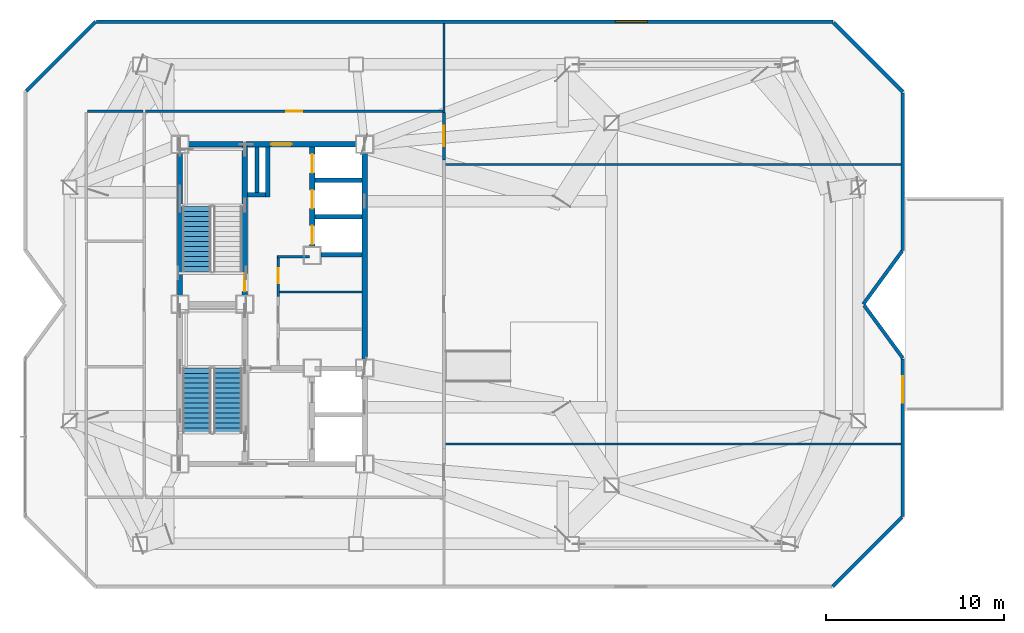
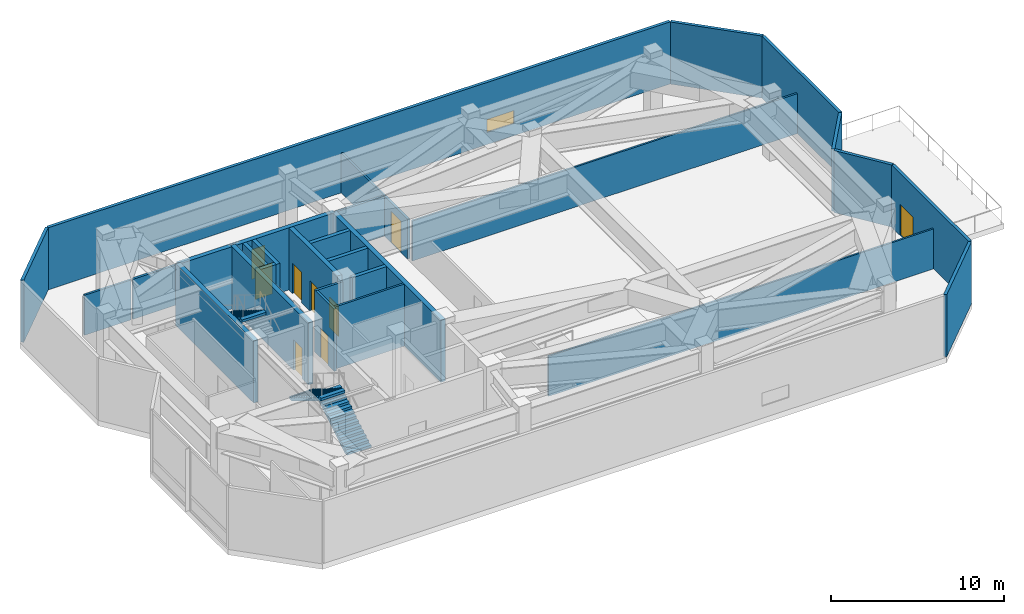
# One storey, part 8 of 11: 28 walls, 9 doors, 3 stair flights, 1 window, 10 openings, 2 elements without a shape of their own.
"""IFC4 building model written with IfcOpenShell, lengths in metres."""

from ifc_helpers import new_model, si_unit, direction, frame, frame_2d, origin, place, context, subcontext, project, spatial, polyline, rectangle, outline, extrude, material, layer, layer_set, type_object, element, fill, aggregate, save


model = new_model("IFC4")

# Units and contexts
model_context = context("Model", 3, precision=1e-05, world=origin(), true_north=direction((0.0, 1.0)))
body_context = subcontext(model_context, "Body", "Model", "MODEL_VIEW")
ifc_project = project(units=[si_unit("LENGTHUNIT", "METRE"), si_unit("AREAUNIT", "SQUARE_METRE"), si_unit("VOLUMEUNIT", "CUBIC_METRE"), si_unit("PLANEANGLEUNIT", "RADIAN"), si_unit("MASSUNIT", "GRAM", prefix="KILO")], contexts=[model_context])

# Site, building, storey
site_placement = place(None, origin())
site = spatial("IfcSite", under=ifc_project, at=site_placement, CompositionType="ELEMENT")
building_placement = place(site_placement, origin())
building = spatial("IfcBuilding", under=site, at=building_placement, Name="Khamvora Tower", CompositionType="ELEMENT")
storey_placement = place(building_placement, frame((0.0, 0.0, 264.64990234375)))
storey = spatial("IfcBuildingStorey", under=building, at=storey_placement, Name="L68", CompositionType="ELEMENT", Elevation=264.64990234375)

# Wall
ifc_material_1 = material(Name="Concrete C50/60", Category="concrete")
ifc_layer_1 = layer(ifc_material_1, 0.300048828125)
ifc_layer_set_1 = layer_set([ifc_layer_1], Name="Concrete C50/60")
wall_type_1 = type_object("IfcWallType", Name="WAL-CORE-300", PredefinedType="SHEAR", material=ifc_layer_set_1)
wall_1_placement = place(storey_placement, frame((29.0, 28.0, 0.0), z_axis=(0.0, 0.0, 1.0), x_axis=(0.0, 1.0, 0.0)))
element("IfcWall", 1, at=wall_1_placement, inside=storey, type_object=wall_type_1, Name="L68 central core west north wall", PredefinedType="SHEAR", context=body_context, shape_type="SweptSolid", body=[
    extrude(rectangle(XDim=9.0, YDim=0.300048828125, at=frame_2d((4.5, 0.0))), origin(), (0.0, 0.0, 1.0), 4.380126953125),
])

# Wall, opening, door
wall_2_placement = place(storey_placement, frame((29.0, 37.0, 0.0), z_axis=(0.0, 0.0, 1.0), x_axis=(1.0, 0.0, 0.0)))
wall_2 = element("IfcWall", 2, at=wall_2_placement, inside=storey, type_object=wall_type_1, Name="L68 central core north wall", PredefinedType="SHEAR", context=body_context, shape_type="SweptSolid", body=[
    extrude(rectangle(XDim=10.39990234375, YDim=0.300048828125, at=frame_2d((5.199951171875, 0.0))), origin(), (0.0, 0.0, 1.0), 4.380126953125),
])
opening_1_placement = place(wall_2_placement, frame((5.139892578125, 0.0, 0.0)))
opening_1 = element("IfcOpeningElement", 3, at=opening_1_placement, cuts=wall_2, Name="Opening D-SC1", PredefinedType="OPENING", context=body_context, shape_type="SweptSolid", body=[
    extrude(rectangle(XDim=1.14990234375, YDim=2.199951171875, at=frame_2d((0.574951171875, 1.10009765625))), frame((0.0, 0.159912109375, 0.0), z_axis=(0.0, -1.0, 0.0), x_axis=(1.0, 0.0, 0.0)), (0.0, 0.0, 1.0), 0.320068359375),
])
ifc_material_2 = material(Name="Powder-Coated Steel and Hardwood Leaf", Category="steel")
door_type_1 = type_object("IfcDoorType", Name="DOR-SCHL-1150", OperationType="NOTDEFINED", PredefinedType="DOOR", material=ifc_material_2)
door_1_placement = place(opening_1_placement, origin())
door_1 = element("IfcDoor", 4, at=door_1_placement, inside=storey, type_object=door_type_1, Name="L68 north core lobby to corridor fire door", OperationType="SINGLE_SWING_LEFT", OverallHeight=2.199951171875, OverallWidth=1.14990234375, PredefinedType="DOOR", context=body_context, shape_type="SweptSolid", body=[
    extrude(rectangle(XDim=1.14990234375, YDim=2.199951171875, at=frame_2d((0.574951171875, 1.10009765625))), frame((0.0, 0.02490234375, 0.0), z_axis=(0.0, -1.0, 0.0), x_axis=(1.0, 0.0, 0.0)), (0.0, 0.0, 1.0), 0.050048828125),
])
fill(opening_1, door_1)

# Wall
wall_3_placement = place(storey_placement, frame((39.39990234375, 24.39990234375, 0.0), z_axis=(0.0, 0.0, 1.0), x_axis=(0.0, 1.0, 0.0)))
element("IfcWall", 5, at=wall_3_placement, inside=storey, type_object=wall_type_1, Name="L68 central core east north wall", PredefinedType="SHEAR", context=body_context, shape_type="SweptSolid", body=[
    extrude(rectangle(XDim=12.60009765625, YDim=0.300048828125, at=frame_2d((6.300048828125, 0.0))), origin(), (0.0, 0.0, 1.0), 4.380126953125),
])

# Wall, opening, door
wall_4_placement = place(storey_placement, frame((32.64990234375, 28.0, 0.0), z_axis=(0.0, 0.0, 1.0), x_axis=(0.0, 1.0, 0.0)))
wall_4 = element("IfcWall", 6, at=wall_4_placement, inside=storey, type_object=wall_type_1, Name="L68 central core stair north spine wall", PredefinedType="SHEAR", context=body_context, shape_type="SweptSolid", body=[
    extrude(rectangle(XDim=9.0, YDim=0.300048828125, at=frame_2d((4.5, 0.0))), origin(), (0.0, 0.0, 1.0), 4.380126953125),
])
opening_2_placement = place(wall_4_placement, frame((0.719970703125, 0.0, 0.0)))
opening_2 = element("IfcOpeningElement", 7, at=opening_2_placement, cuts=wall_4, Name="Opening D-ST1", PredefinedType="OPENING", context=body_context, shape_type="SweptSolid", body=[
    extrude(rectangle(XDim=1.0, YDim=2.14990234375, at=frame_2d((0.5, 1.074951171875))), frame((0.0, 0.159912109375, 0.0), z_axis=(0.0, -1.0, 0.0), x_axis=(1.0, 0.0, 0.0)), (0.0, 0.0, 1.0), 0.320068359375),
])
door_type_2 = type_object("IfcDoorType", Name="DOR-STAIR-1000", OperationType="NOTDEFINED", PredefinedType="DOOR", material=ifc_material_2)
door_2_placement = place(opening_2_placement, origin())
door_2 = element("IfcDoor", 8, at=door_2_placement, inside=storey, type_object=door_type_2, Name="L68 exit stair ST-02 fire door", OperationType="SINGLE_SWING_RIGHT", OverallHeight=2.14990234375, OverallWidth=1.0, PredefinedType="DOOR", context=body_context, shape_type="SweptSolid", body=[
    extrude(rectangle(XDim=1.0, YDim=2.14990234375, at=frame_2d((0.5, 1.074951171875))), frame((0.0, 0.02490234375, 0.0), z_axis=(0.0, -1.0, 0.0), x_axis=(1.0, 0.0, 0.0)), (0.0, 0.0, 1.0), 0.050048828125),
])
fill(opening_2, door_2)

# Wall, openings, doors
wall_5_placement = place(storey_placement, frame((36.449951171875, 31.25, 0.0), z_axis=(0.0, 0.0, 1.0), x_axis=(0.0, 1.0, 0.0)))
wall_5 = element("IfcWall", 9, at=wall_5_placement, inside=storey, type_object=wall_type_1, Name="L68 central core lift bank central wall", PredefinedType="SHEAR", context=body_context, shape_type="SweptSolid", body=[
    extrude(rectangle(XDim=5.595947265625, YDim=0.300048828125, at=frame_2d((2.7978515625, 0.0))), origin(), (0.0, 0.0, 1.0), 4.380126953125),
])
opening_3_placement = place(wall_5_placement, frame((0.1201171875, 0.0, 0.0)))
opening_3 = element("IfcOpeningElement", 10, at=opening_3_placement, cuts=wall_5, Name="Opening LD-PL", PredefinedType="OPENING", context=body_context, shape_type="SweptSolid", body=[
    extrude(rectangle(XDim=1.050048828125, YDim=2.14990234375, at=frame_2d((0.52490234375, 1.074951171875))), frame((0.0, 0.159912109375, 0.0), z_axis=(0.0, -1.0, 0.0), x_axis=(1.0, 0.0, 0.0)), (0.0, 0.0, 1.0), 0.320068359375),
])
opening_4_placement = place(wall_5_placement, frame((2.125, 0.0, 0.0)))
opening_4 = element("IfcOpeningElement", 11, at=opening_4_placement, cuts=wall_5, Name="Opening LD-PL", PredefinedType="OPENING", context=body_context, shape_type="SweptSolid", body=[
    extrude(rectangle(XDim=1.050048828125, YDim=2.14990234375, at=frame_2d((0.52490234375, 1.074951171875))), frame((0.0, 0.159912109375, 0.0), z_axis=(0.0, -1.0, 0.0), x_axis=(1.0, 0.0, 0.0)), (0.0, 0.0, 1.0), 0.320068359375),
])
opening_5_placement = place(wall_5_placement, frame((4.14501953125, 0.0, 0.0)))
opening_5 = element("IfcOpeningElement", 12, at=opening_5_placement, cuts=wall_5, Name="Opening LD-PL", PredefinedType="OPENING", context=body_context, shape_type="SweptSolid", body=[
    extrude(rectangle(XDim=1.050048828125, YDim=2.14990234375, at=frame_2d((0.52490234375, 1.074951171875))), frame((0.0, 0.159912109375, 0.0), z_axis=(0.0, -1.0, 0.0), x_axis=(1.0, 0.0, 0.0)), (0.0, 0.0, 1.0), 0.320068359375),
])
door_type_3 = type_object("IfcDoorType", Name="DOR-LIFT-1050", OperationType="SLIDING_TO_LEFT", PredefinedType="DOOR", material=ifc_material_2)
door_3_placement = place(opening_3_placement, origin())
door_3 = element("IfcDoor", 13, at=door_3_placement, inside=storey, type_object=door_type_3, Name="L68 lift landing sliding door PH-01", OperationType="SLIDING_TO_LEFT", OverallHeight=2.14990234375, OverallWidth=1.050048828125, PredefinedType="DOOR", context=body_context, shape_type="SweptSolid", body=[
    extrude(rectangle(XDim=1.050048828125, YDim=2.14990234375, at=frame_2d((0.52490234375, 1.074951171875))), frame((0.0, 0.02490234375, 0.0), z_axis=(0.0, -1.0, 0.0), x_axis=(1.0, 0.0, 0.0)), (0.0, 0.0, 1.0), 0.050048828125),
])
fill(opening_3, door_3)
door_4_placement = place(opening_4_placement, origin())
door_4 = element("IfcDoor", 14, at=door_4_placement, inside=storey, type_object=door_type_3, Name="L68 lift landing sliding door PH-02", OperationType="SLIDING_TO_LEFT", OverallHeight=2.14990234375, OverallWidth=1.050048828125, PredefinedType="DOOR", context=body_context, shape_type="SweptSolid", body=[
    extrude(rectangle(XDim=1.050048828125, YDim=2.14990234375, at=frame_2d((0.52490234375, 1.074951171875))), frame((0.0, 0.02490234375, 0.0), z_axis=(0.0, -1.0, 0.0), x_axis=(1.0, 0.0, 0.0)), (0.0, 0.0, 1.0), 0.050048828125),
])
fill(opening_4, door_4)
door_5_placement = place(opening_5_placement, origin())
door_5 = element("IfcDoor", 15, at=door_5_placement, inside=storey, type_object=door_type_3, Name="L68 lift landing sliding door PH-03", OperationType="SLIDING_TO_LEFT", OverallHeight=2.14990234375, OverallWidth=1.050048828125, PredefinedType="DOOR", context=body_context, shape_type="SweptSolid", body=[
    extrude(rectangle(XDim=1.050048828125, YDim=2.14990234375, at=frame_2d((0.52490234375, 1.074951171875))), frame((0.0, 0.02490234375, 0.0), z_axis=(0.0, -1.0, 0.0), x_axis=(1.0, 0.0, 0.0)), (0.0, 0.0, 1.0), 0.050048828125),
])
fill(opening_5, door_5)

# Wall
ifc_material_3 = material(Name="Fire-Rated Drywall and Steel Stud", Category="steel")
ifc_layer_2 = layer(ifc_material_3, 0.14990234375)
ifc_layer_set_2 = layer_set([ifc_layer_2], Name="Fire-Rated Drywall and Steel Stud")
wall_type_2 = type_object("IfcWallType", Name="WAL-CORR-150", PredefinedType="STANDARD", material=ifc_layer_set_2)
wall_6_placement = place(storey_placement, frame((36.300048828125, 30.6650390625, 0.0), z_axis=(0.0, 0.0, 1.0), x_axis=(-1.0, 0.0, 0.0)))
element("IfcWall", 16, at=wall_6_placement, inside=storey, type_object=wall_type_2, Name="L68 interior partition wall 001", PredefinedType="STANDARD", context=body_context, shape_type="SweptSolid", body=[
    extrude(rectangle(XDim=1.820068359375, YDim=0.14990234375, at=frame_2d((0.91015625, 0.0))), origin(), (0.0, 0.0, 1.0), 4.380126953125),
])

# Wall, opening, door
wall_7_placement = place(storey_placement, frame((34.544921875, 30.72998046875, 0.0), z_axis=(0.0, 0.0, 1.0), x_axis=(0.0, -1.0, 0.0)))
wall_7 = element("IfcWall", 17, at=wall_7_placement, inside=storey, type_object=wall_type_2, Name="L68 interior partition wall 002", PredefinedType="STANDARD", context=body_context, shape_type="SweptSolid", body=[
    extrude(rectangle(XDim=2.2939453125, YDim=0.14990234375, at=frame_2d((1.14697265625, 0.0))), origin(), (0.0, 0.0, 1.0), 4.380126953125),
])
opening_6_placement = place(wall_7_placement, frame((0.700927734375, 0.0, 0.0)))
opening_6 = element("IfcOpeningElement", 18, at=opening_6_placement, cuts=wall_7, Name="Opening D-WC1", PredefinedType="OPENING", context=body_context, shape_type="SweptSolid", body=[
    extrude(rectangle(XDim=0.85009765625, YDim=2.10009765625, at=frame_2d((0.425048828125, 1.050048828125))), frame((0.0, 0.0849609375, 0.0), z_axis=(0.0, -1.0, 0.0), x_axis=(1.0, 0.0, 0.0)), (0.0, 0.0, 1.0), 0.169921875),
])
door_type_4 = type_object("IfcDoorType", Name="DOR-WET-850", OperationType="NOTDEFINED", PredefinedType="DOOR", material=ifc_material_2)
door_6_placement = place(opening_6_placement, origin())
door_6 = element("IfcDoor", 19, at=door_6_placement, inside=storey, type_object=door_type_4, Name="L68 interior door PHL-CS1", OperationType="SINGLE_SWING_RIGHT", OverallHeight=2.10009765625, OverallWidth=0.85009765625, PredefinedType="DOOR", context=body_context, shape_type="SweptSolid", body=[
    extrude(rectangle(XDim=0.85009765625, YDim=2.10009765625, at=frame_2d((0.425048828125, 1.050048828125))), frame((0.0, 0.02490234375, 0.0), z_axis=(0.0, -1.0, 0.0), x_axis=(1.0, 0.0, 0.0)), (0.0, 0.0, 1.0), 0.050048828125),
])
fill(opening_6, door_6)

wall_8_placement = place(storey_placement, frame((43.864990234375, 38.800048828125, 0.0), z_axis=(0.0, 0.0, 1.0), x_axis=(0.0, -1.0, 0.0)))
wall_8 = element("IfcWall", 20, at=wall_8_placement, inside=storey, type_object=wall_type_2, Name="L68 interior partition wall 009", PredefinedType="STANDARD", context=body_context, shape_type="SweptSolid", body=[
    extrude(rectangle(XDim=2.68603515625, YDim=0.14990234375, at=frame_2d((1.343017578125, 0.0))), origin(), (0.0, 0.0, 1.0), 2.820068359375),
])
opening_7_placement = place(wall_8_placement, frame((0.76806640625, 0.0, 0.0)))
opening_7 = element("IfcOpeningElement", 21, at=opening_7_placement, cuts=wall_8, Name="Opening D-SC1", PredefinedType="OPENING", context=body_context, shape_type="SweptSolid", body=[
    extrude(rectangle(XDim=1.14990234375, YDim=2.199951171875, at=frame_2d((0.574951171875, 1.10009765625))), frame((0.0, 0.0849609375, 0.0), z_axis=(0.0, -1.0, 0.0), x_axis=(1.0, 0.0, 0.0)), (0.0, 0.0, 1.0), 0.169921875),
])
door_7_placement = place(opening_7_placement, origin())
door_7 = element("IfcDoor", 22, at=door_7_placement, inside=storey, type_object=door_type_1, Name="L68 interior door SCOR-GYMS", OperationType="SINGLE_SWING_LEFT", OverallHeight=2.199951171875, OverallWidth=1.14990234375, PredefinedType="DOOR", context=body_context, shape_type="SweptSolid", body=[
    extrude(rectangle(XDim=1.14990234375, YDim=2.199951171875, at=frame_2d((0.574951171875, 1.10009765625))), frame((0.0, 0.02490234375, 0.0), z_axis=(0.0, -1.0, 0.0), x_axis=(1.0, 0.0, 0.0)), (0.0, 0.0, 1.0), 0.050048828125),
])
fill(opening_7, door_7)

wall_9_placement = place(storey_placement, frame((27.050048828125, 38.864990234375, 0.0), z_axis=(0.0, 0.0, 1.0), x_axis=(1.0, 0.0, 0.0)))
wall_9 = element("IfcWall", 23, at=wall_9_placement, inside=storey, type_object=wall_type_2, Name="L68 interior partition wall 014", PredefinedType="STANDARD", context=body_context, shape_type="SweptSolid", body=[
    extrude(rectangle(XDim=16.75, YDim=0.14990234375, at=frame_2d((8.375, 0.0))), origin(), (0.0, 0.0, 1.0), 2.820068359375),
])
opening_8_placement = place(wall_9_placement, frame((7.925048828125, 0.0, 0.0)))
opening_8 = element("IfcOpeningElement", 24, at=opening_8_placement, cuts=wall_9, Name="Opening D-RM1", PredefinedType="OPENING", context=body_context, shape_type="SweptSolid", body=[
    extrude(rectangle(XDim=0.89990234375, YDim=2.10009765625, at=frame_2d((0.449951171875, 1.050048828125))), frame((0.0, 0.0849609375, 0.0), z_axis=(0.0, -1.0, 0.0), x_axis=(1.0, 0.0, 0.0)), (0.0, 0.0, 1.0), 0.169921875),
])
door_type_5 = type_object("IfcDoorType", Name="DOR-ROOM-900", OperationType="NOTDEFINED", PredefinedType="DOOR", material=ifc_material_2)
door_8_placement = place(opening_8_placement, origin())
door_8 = element("IfcDoor", 25, at=door_8_placement, inside=storey, type_object=door_type_5, Name="L68 interior door SCOR-RLAX", OperationType="SINGLE_SWING_RIGHT", OverallHeight=2.10009765625, OverallWidth=0.89990234375, PredefinedType="DOOR", context=body_context, shape_type="SweptSolid", body=[
    extrude(rectangle(XDim=0.89990234375, YDim=2.10009765625, at=frame_2d((0.449951171875, 1.050048828125))), frame((0.0, 0.02490234375, 0.0), z_axis=(0.0, -1.0, 0.0), x_axis=(1.0, 0.0, 0.0)), (0.0, 0.0, 1.0), 0.050048828125),
])
fill(opening_8, door_8)

# Wall
ifc_material_4 = material(Name="Precast concrete C40/50", Category="concrete")
ifc_layer_3 = layer(ifc_material_4, 0.199951171875)
ifc_layer_set_3 = layer_set([ifc_layer_3], Name="Precast concrete C40/50")
wall_type_3 = type_object("IfcWallType", Name="WAL-EXT-200", PredefinedType="STANDARD", material=ifc_layer_set_3)
wall_10_placement = place(storey_placement, frame((20.343994140625, 40.0029296875, 0.0), z_axis=(0.0, 0.0, 1.0), x_axis=(0.707106781187, 0.707106781187, 0.0)))
element("IfcWall", 26, at=wall_10_placement, inside=storey, type_object=wall_type_3, Name="L68 exterior facade wall 06.1", PredefinedType="STANDARD", context=body_context, shape_type="SweptSolid", body=[
    extrude(rectangle(XDim=5.51123046875, YDim=0.199951171875, at=frame_2d((2.755615234375, 0.0))), origin(), (0.0, 0.0, 1.0), 4.380126953125),
])

# Wall, opening, window
wall_11_placement = place(storey_placement, frame((24.302001953125, 43.89990234375, 0.0), z_axis=(0.0, 0.0, 1.0), x_axis=(1.0, 0.0, 0.0)))
wall_11 = element("IfcWall", 27, at=wall_11_placement, inside=storey, type_object=wall_type_3, Name="L68 exterior facade wall 07.1", PredefinedType="STANDARD", context=body_context, shape_type="SweptSolid", body=[
    extrude(rectangle(XDim=41.45703125, YDim=0.199951171875, at=frame_2d((20.728515625, 0.0))), origin(), (0.0, 0.0, 1.0), 4.380126953125),
])
opening_9_placement = place(wall_11_placement, frame((29.218017578125, 0.0, 0.85009765625)))
opening_9 = element("IfcOpeningElement", 28, at=opening_9_placement, cuts=wall_11, Name="Opening WN-09", PredefinedType="OPENING", context=body_context, shape_type="SweptSolid", body=[
    extrude(rectangle(XDim=1.800048828125, YDim=0.919921875, at=frame_2d((0.89990234375, 0.4599609375))), frame((0.0, 0.10986328125, 0.0), z_axis=(0.0, -1.0, 0.0), x_axis=(1.0, 0.0, 0.0)), (0.0, 0.0, 1.0), 0.219970703125),
])
ifc_material_5 = material(Name="Low-E Laminated Double Glazing", Category="glass")
window_type = type_object("IfcWindowType", Name="WIN-CLR-1800x920", PartitioningType="SINGLE_PANEL", PredefinedType="WINDOW", material=ifc_material_5)
window_placement = place(opening_9_placement, origin())
window = element("IfcWindow", 29, at=window_placement, inside=storey, type_object=window_type, Name="L68 vision window 07.1.01", OverallHeight=0.919921875, OverallWidth=1.800048828125, PartitioningType="SINGLE_PANEL", PredefinedType="WINDOW", context=body_context, shape_type="SweptSolid", body=[
    extrude(rectangle(XDim=1.800048828125, YDim=0.919921875, at=frame_2d((0.89990234375, 0.4599609375))), frame((0.0, 0.030029296875, 0.0), z_axis=(0.0, -1.0, 0.0), x_axis=(1.0, 0.0, 0.0)), (0.0, 0.0, 1.0), 0.06005859375),
])
fill(opening_9, window)

# Walls
wall_12_placement = place(storey_placement, frame((65.802001953125, 43.85693359375, 0.0), z_axis=(0.0, 0.0, 1.0), x_axis=(0.707106781187, -0.707106781187, 0.0)))
element("IfcWall", 30, at=wall_12_placement, inside=storey, type_object=wall_type_3, Name="L68 exterior facade wall 08.1", PredefinedType="STANDARD", context=body_context, shape_type="SweptSolid", body=[
    extrude(rectangle(XDim=5.512451171875, YDim=0.199951171875, at=frame_2d((2.75634765625, 0.0))), origin(), (0.0, 0.0, 1.0), 4.380126953125),
])
wall_13_placement = place(storey_placement, frame((69.699951171875, 39.89599609375, 0.0), z_axis=(0.0, 0.0, 1.0), x_axis=(0.0, -1.0, 0.0)))
element("IfcWall", 31, at=wall_13_placement, inside=storey, type_object=wall_type_3, Name="L68 exterior facade wall 09.1", PredefinedType="STANDARD", context=body_context, shape_type="SweptSolid", body=[
    extrude(rectangle(XDim=8.863037109375, YDim=0.199951171875, at=frame_2d((4.431640625, 0.0))), origin(), (0.0, 0.0, 1.0), 4.380126953125),
])
wall_14_placement = place(storey_placement, frame((69.669921875, 30.991943359375, 0.0), z_axis=(0.0, 0.0, 1.0), x_axis=(-0.591320870733, -0.806436375566, 0.0)))
element("IfcWall", 32, at=wall_14_placement, inside=storey, type_object=wall_type_3, Name="L68 exterior facade wall 10.1", PredefinedType="STANDARD", context=body_context, shape_type="SweptSolid", body=[
    extrude(rectangle(XDim=3.7099609375, YDim=0.199951171875, at=frame_2d((1.85498046875, 0.0))), origin(), (0.0, 0.0, 1.0), 4.380126953125),
])
wall_15_placement = place(storey_placement, frame((67.527099609375, 27.930908203125, 0.0), z_axis=(0.0, 0.0, 1.0), x_axis=(0.591248456881, -0.80648946815, 0.0)))
element("IfcWall", 33, at=wall_15_placement, inside=storey, type_object=wall_type_3, Name="L68 exterior facade wall 11.1", PredefinedType="STANDARD", context=body_context, shape_type="SweptSolid", body=[
    extrude(rectangle(XDim=3.675048828125, YDim=0.199951171875, at=frame_2d((1.83740234375, 0.0))), origin(), (0.0, 0.0, 1.0), 4.380126953125),
])

# Wall, opening, door
wall_16_placement = place(storey_placement, frame((69.699951171875, 24.916015625, 0.0), z_axis=(0.0, 0.0, 1.0), x_axis=(0.0, -1.0, 0.0)))
wall_16 = element("IfcWall", 34, at=wall_16_placement, inside=storey, type_object=wall_type_3, Name="L68 exterior facade wall 12.1", PredefinedType="STANDARD", context=body_context, shape_type="SweptSolid", body=[
    extrude(rectangle(XDim=8.875, YDim=0.199951171875, at=frame_2d((4.4375, 0.0))), origin(), (0.0, 0.0, 1.0), 4.380126953125),
])
opening_10_placement = place(wall_16_placement, frame((0.966064453125, 0.0, 0.0)))
opening_10 = element("IfcOpeningElement", 35, at=opening_10_placement, cuts=wall_16, Name="Opening ED-03", PredefinedType="OPENING", context=body_context, shape_type="SweptSolid", body=[
    extrude(rectangle(XDim=1.5, YDim=2.199951171875, at=frame_2d((0.75, 1.10009765625))), frame((0.0, 0.10986328125, 0.0), z_axis=(0.0, -1.0, 0.0), x_axis=(1.0, 0.0, 0.0)), (0.0, 0.0, 1.0), 0.219970703125),
])
ifc_material_6 = material(Name="Anodised Aluminium and Laminated Safety Glass", Category="aluminium")
door_type_6 = type_object("IfcDoorType", Name="DOR-EXT-1500", OperationType="DOUBLE_DOOR_SINGLE_SWING", PredefinedType="DOOR", material=ifc_material_6)
door_9_placement = place(opening_10_placement, origin())
door_9 = element("IfcDoor", 36, at=door_9_placement, inside=storey, type_object=door_type_6, Name="L68 sky-pool terrace double door", OperationType="SINGLE_SWING_LEFT", OverallHeight=2.199951171875, OverallWidth=1.5, PredefinedType="DOOR", context=body_context, shape_type="SweptSolid", body=[
    extrude(rectangle(XDim=1.5, YDim=2.199951171875, at=frame_2d((0.75, 1.10009765625))), frame((0.0, 0.02490234375, 0.0), z_axis=(0.0, -1.0, 0.0), x_axis=(1.0, 0.0, 0.0)), (0.0, 0.0, 1.0), 0.050048828125),
])
fill(opening_10, door_9)

# Walls
wall_17_placement = place(storey_placement, frame((69.655029296875, 15.99609375, 0.0), z_axis=(0.0, 0.0, 1.0), x_axis=(-0.707106781187, -0.707106781187, 0.0)))
element("IfcWall", 37, at=wall_17_placement, inside=storey, type_object=wall_type_3, Name="L68 exterior facade wall 13.1", PredefinedType="STANDARD", context=body_context, shape_type="SweptSolid", body=[
    extrude(rectangle(XDim=5.509765625, YDim=0.199951171875, at=frame_2d((2.7548828125, 0.0))), origin(), (0.0, 0.0, 1.0), 4.380126953125),
])
ifc_material_7 = material(Name="Gypsum Plasterboard Partition", Category="gypsum")
ifc_layer_4 = layer(ifc_material_7, 0.1201171875)
ifc_layer_set_4 = layer_set([ifc_layer_4], Name="Gypsum Plasterboard Partition")
wall_type_4 = type_object("IfcWallType", Name="WAL-PART-120", PredefinedType="PARTITIONING", material=ifc_layer_set_4)
for number, where, z_axis, x_axis, name in (
    (38, (69.60791015625, 20.135009765625, 0.0), (0.0, 0.0, 1.0), (-1.0, 0.0, 0.0), "L68 interior partition wall 015"),
    (39, (43.931884765625, 35.864990234375, 0.0), (0.0, 0.0, 1.0), (1.0, 0.0, 0.0), "L68 interior partition wall 016"),
):
    element("IfcWall", number, at=place(storey_placement, frame(where, z_axis=z_axis, x_axis=x_axis)), inside=storey, type_object=wall_type_4, Name=name, PredefinedType="PARTITIONING", context=body_context, shape_type="SweptSolid", body=[
        extrude(rectangle(XDim=25.676025390625, YDim=0.1201171875, at=frame_2d((12.837890625, 0.0))), origin(), (0.0, 0.0, 1.0), 2.820068359375),
    ])
wall_18_placement = place(storey_placement, frame((43.864990234375, 38.800048828125, 0.0), z_axis=(0.0, 0.0, 1.0), x_axis=(0.0, 1.0, 0.0)))
element("IfcWall", 40, at=wall_18_placement, inside=storey, type_object=wall_type_4, Name="L68 interior partition wall 018", PredefinedType="PARTITIONING", context=body_context, shape_type="SweptSolid", body=[
    extrude(rectangle(XDim=5.008056640625, YDim=0.1201171875, at=frame_2d((2.50390625, 0.0))), origin(), (0.0, 0.0, 1.0), 2.820068359375),
])
ifc_material_8 = material(Name="Concrete C40/50", Category="concrete")
ifc_layer_5 = layer(ifc_material_8, 0.25)
ifc_layer_set_5 = layer_set([ifc_layer_5], Name="Concrete C40/50")
wall_type_5 = type_object("IfcWallType", Name="WAL-PODS-250", PredefinedType="SHEAR", material=ifc_layer_set_5)
wall_19_placement = place(storey_placement, frame((36.9541015625, 30.77490234375, 0.0), z_axis=(0.0, 0.0, 1.0), x_axis=(1.0, 0.0, 0.0)))
element("IfcWall", 41, at=wall_19_placement, inside=storey, type_object=wall_type_5, Name="L68 high-rise lift shaft south enclosure wall PH-01", PredefinedType="SHEAR", context=body_context, shape_type="SweptSolid", body=[
    extrude(rectangle(XDim=2.2919921875, YDim=0.25, at=frame_2d((1.14599609375, 0.0))), origin(), (0.0, 0.0, 1.0), 4.380126953125),
])
for number, where, z_axis, x_axis, name in (
    (42, (36.60400390625, 32.925048828125, 0.0), (0.0, 0.0, 1.0), (1.0, 0.0, 0.0), "L68 lift shaft divider wall PH-01"),
    (43, (36.60400390625, 34.97509765625, 0.0), (0.0, 0.0, 1.0), (1.0, 0.0, 0.0), "L68 lift shaft divider wall PH-02"),
):
    element("IfcWall", number, at=place(storey_placement, frame(where, z_axis=z_axis, x_axis=x_axis)), inside=storey, type_object=wall_type_5, Name=name, PredefinedType="SHEAR", context=body_context, shape_type="SweptSolid", body=[
        extrude(rectangle(XDim=2.64208984375, YDim=0.25, at=frame_2d((1.321044921875, 0.0))), origin(), (0.0, 0.0, 1.0), 4.380126953125),
    ])
wall_20_placement = place(storey_placement, frame((33.955078125, 34.02490234375, 0.0), z_axis=(0.0, 0.0, 1.0), x_axis=(0.0, 1.0, 0.0)))
element("IfcWall", 44, at=wall_20_placement, inside=storey, type_object=wall_type_5, Name="L68 vertical MEP riser shaft east enclosure wall", PredefinedType="SHEAR", context=body_context, shape_type="SweptSolid", body=[
    extrude(rectangle(XDim=2.821044921875, YDim=0.25, at=frame_2d((1.41064453125, 0.0))), origin(), (0.0, 0.0, 1.0), 4.380126953125),
])
wall_21_placement = place(storey_placement, frame((32.803955078125, 34.14990234375, 0.0), z_axis=(0.0, 0.0, 1.0), x_axis=(1.0, 0.0, 0.0)))
element("IfcWall", 45, at=wall_21_placement, inside=storey, type_object=wall_type_5, Name="L68 vertical MEP riser shaft south enclosure wall", PredefinedType="SHEAR", context=body_context, shape_type="SweptSolid", body=[
    extrude(rectangle(XDim=1.02197265625, YDim=0.25, at=frame_2d((0.510986328125, 0.0))), origin(), (0.0, 0.0, 1.0), 4.380126953125),
])
wall_22_placement = place(storey_placement, frame((33.340087890625, 34.279052734375, 0.0), z_axis=(0.0, 0.0, 1.0), x_axis=(0.0, 1.0, 0.0)))
element("IfcWall", 46, at=wall_22_placement, inside=storey, type_object=wall_type_5, Name="L68 vertical MEP riser shaft divider enclosure wall", PredefinedType="SHEAR", context=body_context, shape_type="SweptSolid", body=[
    extrude(rectangle(XDim=2.56689453125, YDim=0.25, at=frame_2d((1.283447265625, 0.0))), origin(), (0.0, 0.0, 1.0), 4.380126953125),
])
ifc_material_9 = material(Name="Moisture-Resistant Plasterboard Partition", Category="gypsum")
ifc_layer_6 = layer(ifc_material_9, 0.135009765625)
ifc_layer_set_6 = layer_set([ifc_layer_6], Name="Moisture-Resistant Plasterboard Partition")
wall_type_6 = type_object("IfcWallType", Name="WAL-WET-135", PredefinedType="PARTITIONING", material=ifc_layer_set_6)
wall_23_placement = place(storey_placement, frame((39.256103515625, 28.68505859375, 0.0), z_axis=(0.0, 0.0, 1.0), x_axis=(-1.0, 0.0, 0.0)))
element("IfcWall", 47, at=wall_23_placement, inside=storey, type_object=wall_type_6, Name="L68 interior partition wall 005", PredefinedType="PARTITIONING", context=body_context, shape_type="SweptSolid", body=[
    extrude(rectangle(XDim=4.64404296875, YDim=0.135009765625, at=frame_2d((2.322021484375, 0.0))), origin(), (0.0, 0.0, 1.0), 4.380126953125),
])
wall_24_placement = place(storey_placement, frame((23.800048828125, 38.864990234375, 0.0), z_axis=(0.0, 0.0, 1.0), x_axis=(1.0, 0.0, 0.0)))
element("IfcWall", 48, at=wall_24_placement, inside=storey, type_object=wall_type_6, Name="L68 interior partition wall 024", PredefinedType="PARTITIONING", context=body_context, shape_type="SweptSolid", body=[
    extrude(rectangle(XDim=3.119873046875, YDim=0.135009765625, at=frame_2d((1.56005859375, 0.0))), origin(), (0.0, 0.0, 1.0), 2.820068359375),
])

# Stair, stair flights
stair_type_1 = type_object("IfcStairType", Name="STR-ST-01", PredefinedType="HALF_TURN_STAIR", material=ifc_material_8)
stair_1_placement = place(storey_placement, origin())
stair_1 = element("IfcStair", 49, at=stair_1_placement, inside=storey, type_object=stair_type_1, Name="L68 South Tower Exit Stair ST-01", PredefinedType="HALF_TURN_STAIR")
stair_flight_type_1 = type_object("IfcStairFlightType", Name="STF-ST-01", PredefinedType="STRAIGHT", material=ifc_material_8)
stair_flight_1_placement = place(storey_placement, frame((31.699951171875, 20.75, 0.0), z_axis=(0.0, 0.0, 1.0), x_axis=(0.0, 1.0, 0.0)))
stair_flight_1 = element("IfcStairFlight", 50, at=stair_flight_1_placement, type_object=stair_flight_type_1, Name="ST-01 flight 1", NumberOfRisers=14, NumberOfTreads=13, PredefinedType="STRAIGHT", RiserHeight=0.171428571, TreadLength=0.28, context=body_context, shape_type="SweptSolid", body=[
    extrude(outline(polyline([(0.0, 0.0), (0.0, 0.17138671875), (0.280029296875, 0.17138671875), (0.280029296875, 0.3427734375), (0.56005859375, 0.3427734375), (0.56005859375, 0.514404296875), (0.840087890625, 0.514404296875), (0.840087890625, 0.685791015625), (1.1201171875, 0.685791015625), (1.1201171875, 0.857177734375), (1.39990234375, 0.857177734375), (1.39990234375, 1.028564453125), (1.679931640625, 1.028564453125), (1.679931640625, 1.199951171875), (1.9599609375, 1.199951171875), (1.9599609375, 1.371337890625), (2.239990234375, 1.371337890625), (2.239990234375, 1.54296875), (2.52001953125, 1.54296875), (2.52001953125, 1.71435546875), (2.800048828125, 1.71435546875), (2.800048828125, 1.8857421875), (3.080078125, 1.8857421875), (3.080078125, 2.05712890625), (3.360107421875, 2.05712890625), (3.360107421875, 2.228515625), (3.639892578125, 2.228515625), (3.639892578125, 2.39990234375), (3.639892578125, 2.052734375), (0.287109375, 0.0), (0.0, 0.0)])), frame((0.0, 0.800048828125, 0.0), z_axis=(0.0, -1.0, 0.0), x_axis=(1.0, 0.0, 0.0)), (0.0, 0.0, 1.0), 1.60009765625),
])
stair_flight_2_placement = place(storey_placement, frame((29.949951171875, 24.389892578125, 2.400146484375), z_axis=(0.0, 0.0, 1.0), x_axis=(0.0, -1.0, 0.0)))
stair_flight_2 = element("IfcStairFlight", 51, at=stair_flight_2_placement, type_object=stair_flight_type_1, Name="ST-01 flight 2", NumberOfRisers=14, NumberOfTreads=13, PredefinedType="STRAIGHT", RiserHeight=0.171428571, TreadLength=0.28, context=body_context, shape_type="SweptSolid", body=[
    extrude(outline(polyline([(0.0, 0.0), (0.0, 0.17138671875), (0.280029296875, 0.17138671875), (0.280029296875, 0.3427734375), (0.56005859375, 0.3427734375), (0.56005859375, 0.514404296875), (0.840087890625, 0.514404296875), (0.840087890625, 0.685791015625), (1.1201171875, 0.685791015625), (1.1201171875, 0.857177734375), (1.39990234375, 0.857177734375), (1.39990234375, 1.028564453125), (1.679931640625, 1.028564453125), (1.679931640625, 1.199951171875), (1.9599609375, 1.199951171875), (1.9599609375, 1.371337890625), (2.239990234375, 1.371337890625), (2.239990234375, 1.54296875), (2.52001953125, 1.54296875), (2.52001953125, 1.71435546875), (2.800048828125, 1.71435546875), (2.800048828125, 1.8857421875), (3.080078125, 1.8857421875), (3.080078125, 2.05712890625), (3.360107421875, 2.05712890625), (3.360107421875, 2.228515625), (3.639892578125, 2.228515625), (3.639892578125, 2.39990234375), (3.639892578125, 2.052734375), (0.287109375, 0.0), (0.0, 0.0)])), frame((0.0, 0.800048828125, 0.0), z_axis=(0.0, -1.0, 0.0), x_axis=(1.0, 0.0, 0.0)), (0.0, 0.0, 1.0), 1.60009765625),
])
aggregate(stair_1, [stair_flight_1, stair_flight_2])

# Stair, stair flight
stair_type_2 = type_object("IfcStairType", Name="STR-ST-02", PredefinedType="HALF_TURN_STAIR", material=ifc_material_8)
stair_2_placement = place(storey_placement, origin())
stair_2 = element("IfcStair", 52, at=stair_2_placement, inside=storey, type_object=stair_type_2, Name="L68 North Tower Exit Stair ST-02", PredefinedType="HALF_TURN_STAIR")
stair_flight_type_2 = type_object("IfcStairFlightType", Name="STF-ST-02", PredefinedType="STRAIGHT", material=ifc_material_8)
stair_flight_3_placement = place(storey_placement, frame((29.949951171875, 33.489990234375, 2.400146484375), z_axis=(0.0, 0.0, 1.0), x_axis=(0.0, -1.0, 0.0)))
stair_flight_3 = element("IfcStairFlight", 53, at=stair_flight_3_placement, type_object=stair_flight_type_2, Name="ST-02 flight 2", NumberOfRisers=14, NumberOfTreads=13, PredefinedType="STRAIGHT", RiserHeight=0.171428571, TreadLength=0.28, context=body_context, shape_type="SweptSolid", body=[
    extrude(outline(polyline([(0.0, 0.0), (0.0, 0.17138671875), (0.280029296875, 0.17138671875), (0.280029296875, 0.3427734375), (0.56005859375, 0.3427734375), (0.56005859375, 0.514404296875), (0.840087890625, 0.514404296875), (0.840087890625, 0.685791015625), (1.1201171875, 0.685791015625), (1.1201171875, 0.857177734375), (1.39990234375, 0.857177734375), (1.39990234375, 1.028564453125), (1.679931640625, 1.028564453125), (1.679931640625, 1.199951171875), (1.9599609375, 1.199951171875), (1.9599609375, 1.371337890625), (2.239990234375, 1.371337890625), (2.239990234375, 1.54296875), (2.52001953125, 1.54296875), (2.52001953125, 1.71435546875), (2.800048828125, 1.71435546875), (2.800048828125, 1.8857421875), (3.080078125, 1.8857421875), (3.080078125, 2.05712890625), (3.360107421875, 2.05712890625), (3.360107421875, 2.228515625), (3.639892578125, 2.228515625), (3.639892578125, 2.39990234375), (3.639892578125, 2.052734375), (0.287109375, 0.0), (0.0, 0.0)])), frame((0.0, 0.800048828125, 0.0), z_axis=(0.0, -1.0, 0.0), x_axis=(1.0, 0.0, 0.0)), (0.0, 0.0, 1.0), 1.60009765625),
])
aggregate(stair_2, [stair_flight_3])

save(model, "model.ifc")
